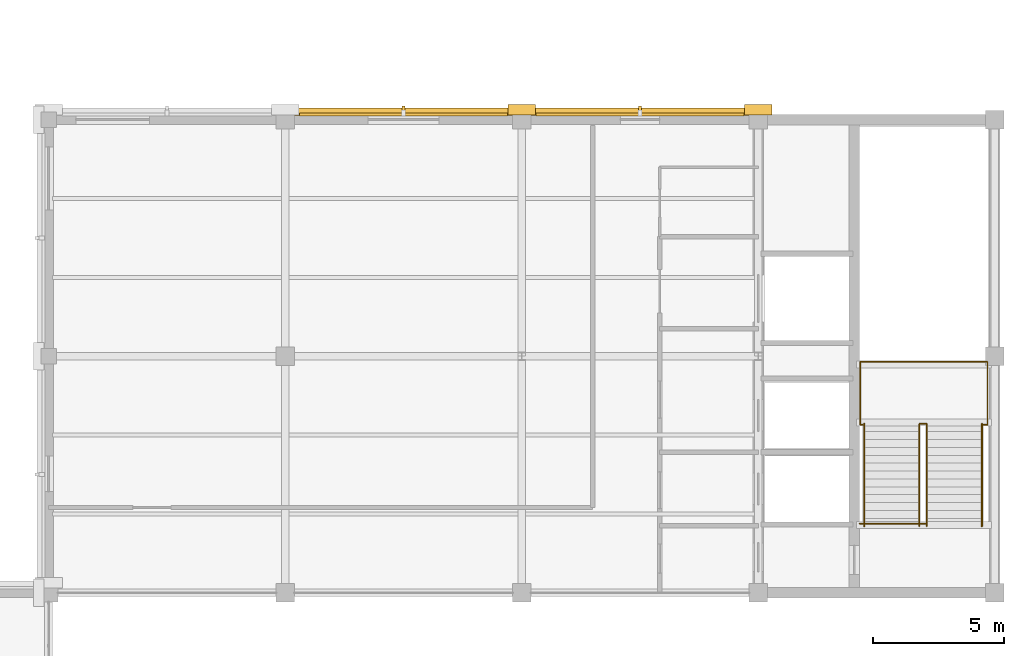
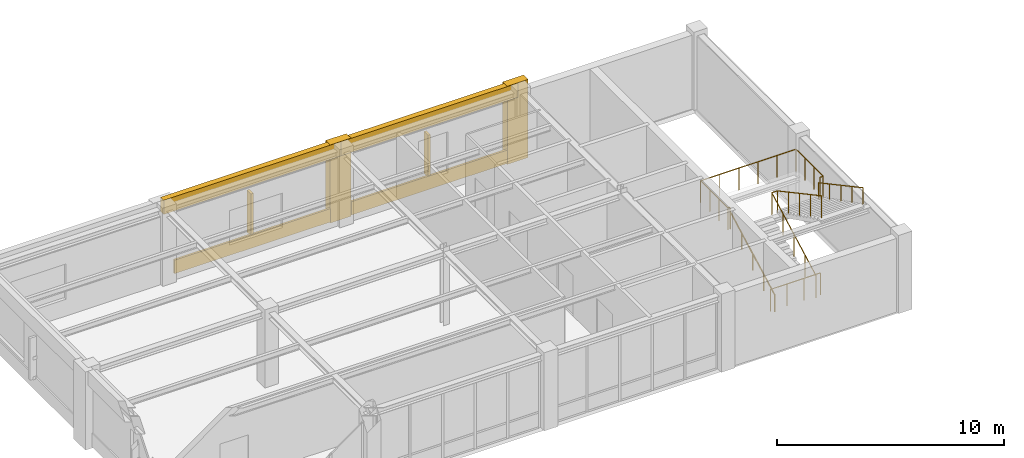
# One storey, part 108 of 108: 6 coverings, 5 railings, 2 shading devices.
"""IFC4 building model written with IfcOpenShell, lengths in metres."""

from ifc_helpers import new_model, si_unit, direction, frame, origin, origin_2d, place, context, subcontext, project, spatial, rectangle, circle, extrude, material, layer, layer_set, type_object, element, save


model = new_model("IFC4")

# Units and contexts
model_context = context("Model", 3, precision=1e-05, world=origin(), true_north=direction((0.0, 1.0)))
body_context = subcontext(model_context, "Body", "Model", "MODEL_VIEW")
ifc_project = project(units=[si_unit("LENGTHUNIT", "METRE"), si_unit("AREAUNIT", "SQUARE_METRE"), si_unit("VOLUMEUNIT", "CUBIC_METRE"), si_unit("PLANEANGLEUNIT", "RADIAN"), si_unit("MASSUNIT", "GRAM", prefix="KILO")], contexts=[model_context])

# Site, building, storey
site_placement = place(None, origin())
site = spatial("IfcSite", under=ifc_project, at=site_placement, CompositionType="ELEMENT")
building_placement = place(site_placement, origin())
building = spatial("IfcBuilding", under=site, at=building_placement, Name="Lykobir Media Centre", CompositionType="ELEMENT")
storey_placement = place(building_placement, frame((0.0, 0.0, 15.0)))
storey = spatial("IfcBuildingStorey", under=building, at=storey_placement, Name="L03", CompositionType="ELEMENT", Elevation=15.0)

# Coverings
ifc_material_1 = material(Name="Glazed Turquoise Terracotta", Category="masonry")
ifc_layer_1 = layer(ifc_material_1, 0.0400390625, Name="Glazed Turquoise Terracotta")
ifc_layer_set_1 = layer_set([ifc_layer_1], Name="Glazed Turquoise Terracotta")
covering_type_1 = type_object("IfcCoveringType", Name="CLD-TERR", PredefinedType="CLADDING", material=ifc_layer_set_1)
for number, where, z_axis, x_axis, name in (
    (1, (112.5, 90.196044921875, 0.080078125), (0.0, 0.0, 1.0), (-1.0, 0.0, 0.0), "Facade spandrel apron 582"),
    (2, (121.5, 90.196044921875, 0.080078125), (0.0, 0.0, 1.0), (-1.0, 0.0, 0.0), "Facade spandrel apron 585"),
):
    element("IfcCovering", number, at=place(storey_placement, frame(where, z_axis=z_axis, x_axis=x_axis)), inside=storey, type_object=covering_type_1, Name=name, PredefinedType="CLADDING", context=body_context, shape_type="SweptSolid", body=[
        extrude(rectangle(XDim=7.929931640625, YDim=0.10009765625, at=origin_2d()), origin(), (0.0, 0.0, 1.0), 0.719970703125),
    ])
ifc_material_2 = material(Name="Honed Travertine Stone", Category="masonry")
ifc_layer_2 = layer(ifc_material_2, 0.050048828125, Name="Honed Travertine Stone")
ifc_layer_set_2 = layer_set([ifc_layer_2], Name="Honed Travertine Stone")
covering_type_2 = type_object("IfcCoveringType", Name="CLD-TRAV", PredefinedType="CLADDING", material=ifc_layer_set_2)
covering_1_placement = place(storey_placement, frame((117.0, 90.3798828125, 0.0), z_axis=(0.0, 0.0, 1.0), x_axis=(-1.0, 0.0, 0.0)))
element("IfcCovering", 3, at=covering_1_placement, inside=storey, type_object=covering_type_2, Name="Travertine column pier 580", PredefinedType="CLADDING", context=body_context, shape_type="SweptSolid", body=[
    extrude(rectangle(XDim=1.06005859375, YDim=0.39990234375, at=origin_2d()), origin(), (0.0, 0.0, 1.0), 4.199951171875),
])
covering_2_placement = place(storey_placement, frame((112.5, 90.300048828125, 3.43994140625), z_axis=(0.0, 0.0, 1.0), x_axis=(-1.0, 0.0, 0.0)))
element("IfcCovering", 4, at=covering_2_placement, inside=storey, type_object=covering_type_2, Name="Travertine spandrel stringcourse 581", PredefinedType="CLADDING", context=body_context, shape_type="SweptSolid", body=[
    extrude(rectangle(XDim=9.0, YDim=0.280029296875, at=origin_2d()), origin(), (0.0, 0.0, 1.0), 0.760009765625),
])
covering_3_placement = place(storey_placement, frame((126.0, 90.3798828125, 0.0), z_axis=(0.0, 0.0, 1.0), x_axis=(-1.0, 0.0, 0.0)))
element("IfcCovering", 5, at=covering_3_placement, inside=storey, type_object=covering_type_2, Name="Travertine column pier 583", PredefinedType="CLADDING", context=body_context, shape_type="SweptSolid", body=[
    extrude(rectangle(XDim=1.06005859375, YDim=0.39990234375, at=origin_2d()), origin(), (0.0, 0.0, 1.0), 4.199951171875),
])
covering_4_placement = place(storey_placement, frame((121.5, 90.300048828125, 3.43994140625), z_axis=(0.0, 0.0, 1.0), x_axis=(-1.0, 0.0, 0.0)))
element("IfcCovering", 6, at=covering_4_placement, inside=storey, type_object=covering_type_2, Name="Travertine spandrel stringcourse 584", PredefinedType="CLADDING", context=body_context, shape_type="SweptSolid", body=[
    extrude(rectangle(XDim=9.0, YDim=0.280029296875, at=origin_2d()), origin(), (0.0, 0.0, 1.0), 0.760009765625),
])

# Railings
ifc_material_3 = material(Name="Steel S355", Category="steel")
railing_type_1 = type_object("IfcRailingType", Name="GR-1200", PredefinedType="BALUSTRADE", material=ifc_material_3)
railing_1_placement = place(storey_placement, frame((129.8701171875, 74.6298828125, 0.0)))
element("IfcRailing", 7, at=railing_1_placement, inside=storey, type_object=railing_type_1, Name="ST-4 L03 arrival well guard", PredefinedType="BALUSTRADE", context=body_context, shape_type="SweptSolid", body=[
    extrude(circle(Radius=0.02392578125, at=origin_2d()), frame((0.0, 0.0, 1.17578125), z_axis=(1.0, 0.0, 0.0), x_axis=(0.0, 1.0, 0.0)), (0.0, 0.0, 1.0), 2.539794921875),
    extrude(circle(Radius=0.02099609375, at=origin_2d()), origin(), (0.0, 0.0, 1.0), 1.15185546875),
    extrude(circle(Radius=0.02099609375, at=origin_2d()), frame((0.8466796875, 0.0, 0.0)), (0.0, 0.0, 1.0), 1.15185546875),
    extrude(circle(Radius=0.02099609375, at=origin_2d()), frame((1.693115234375, 0.0, 0.0)), (0.0, 0.0, 1.0), 1.15185546875),
    extrude(circle(Radius=0.02099609375, at=origin_2d()), frame((2.539794921875, 0.0, 0.0)), (0.0, 0.0, 1.0), 1.15185546875),
])
railing_2_placement = place(storey_placement, frame((132.1298828125, 74.530029296875, 0.0)))
element("IfcRailing", 8, at=railing_2_placement, inside=storey, type_object=railing_type_1, Name="ST-4 L03 inner well and slot guard", PredefinedType="BALUSTRADE", context=body_context, shape_type="SweptSolid", body=[
    extrude(circle(Radius=0.02392578125, at=origin_2d()), frame((0.0, 0.0, 1.17578125), z_axis=(0.0, 0.880456940745, 0.474126117709), x_axis=(-1.0, 0.0, 0.0)), (0.0, 0.0, 1.0), 4.429443359375),
    extrude(circle(Radius=0.02392578125, at=origin_2d()), frame((0.0, 3.89990234375, 3.27587890625), z_axis=(1.0, 0.0, 0.0), x_axis=(0.0, 1.0, 0.0)), (0.0, 0.0, 1.0), 0.280029296875),
    extrude(circle(Radius=0.02392578125, at=origin_2d()), frame((0.280029296875, 3.89990234375, 3.27587890625), z_axis=(0.0, -0.88047994924, 0.474083388219), x_axis=(1.0, 0.0, 0.0)), (0.0, 0.0, 1.0), 4.42919921875),
    extrude(circle(Radius=0.02099609375, at=origin_2d()), origin(), (0.0, 0.0, 1.0), 1.15185546875),
    extrude(circle(Radius=0.02099609375, at=origin_2d()), frame((0.0, 0.97509765625, 0.52490234375)), (0.0, 0.0, 1.0), 1.15185546875),
    extrude(circle(Radius=0.02099609375, at=origin_2d()), frame((0.0, 1.949951171875, 1.050048828125)), (0.0, 0.0, 1.0), 1.15185546875),
    extrude(circle(Radius=0.02099609375, at=origin_2d()), frame((0.0, 2.9248046875, 1.5751953125)), (0.0, 0.0, 1.0), 1.15185546875),
    extrude(circle(Radius=0.02099609375, at=origin_2d()), frame((0.0, 3.89990234375, 2.10009765625)), (0.0, 0.0, 1.0), 1.15185546875),
    extrude(circle(Radius=0.02099609375, at=origin_2d()), frame((0.280029296875, 3.89990234375, 2.10009765625)), (0.0, 0.0, 1.0), 1.15185546875),
    extrude(circle(Radius=0.02099609375, at=origin_2d()), frame((0.280029296875, 2.9248046875, 2.625)), (0.0, 0.0, 1.0), 1.15185546875),
    extrude(circle(Radius=0.02099609375, at=origin_2d()), frame((0.280029296875, 1.949951171875, 3.14990234375)), (0.0, 0.0, 1.0), 1.15185546875),
    extrude(circle(Radius=0.02099609375, at=origin_2d()), frame((0.280029296875, 0.97509765625, 3.675048828125)), (0.0, 0.0, 1.0), 1.15185546875),
    extrude(circle(Radius=0.02099609375, at=origin_2d()), frame((0.280029296875, 0.0, 4.199951171875)), (0.0, 0.0, 1.0), 1.15185546875),
])
railing_3_placement = place(storey_placement, frame((129.989990234375, 78.389892578125, 2.10009765625)))
element("IfcRailing", 9, at=railing_3_placement, inside=storey, type_object=railing_type_1, Name="ST-4 L03 half-landing perimeter guard", PredefinedType="BALUSTRADE", context=body_context, shape_type="SweptSolid", body=[
    extrude(circle(Radius=0.02392578125, at=origin_2d()), frame((0.0, 0.0, 1.17578125), z_axis=(-1.0, 0.0, 0.0), x_axis=(0.0, -1.0, 0.0)), (0.0, 0.0, 1.0), 0.110107421875),
    extrude(circle(Radius=0.02392578125, at=origin_2d()), frame((-0.110107421875, 0.0, 1.17578125), z_axis=(0.0, 1.0, 0.0), x_axis=(-1.0, 0.0, 0.0)), (0.0, 0.0, 1.0), 2.400146484375),
    extrude(circle(Radius=0.02392578125, at=origin_2d()), frame((-0.110107421875, 2.400146484375, 1.17578125), z_axis=(1.0, 0.0, 0.0), x_axis=(0.0, 1.0, 0.0)), (0.0, 0.0, 1.0), 4.840087890625),
    extrude(circle(Radius=0.02392578125, at=origin_2d()), frame((4.72998046875, 2.400146484375, 1.17578125), z_axis=(0.0, -1.0, 0.0), x_axis=(1.0, 0.0, 0.0)), (0.0, 0.0, 1.0), 2.400146484375),
    extrude(circle(Radius=0.02392578125, at=origin_2d()), frame((4.72998046875, 0.0, 1.17578125), z_axis=(-1.0, 0.0, 0.0), x_axis=(0.0, -1.0, 0.0)), (0.0, 0.0, 1.0), 0.169921875),
    extrude(circle(Radius=0.02099609375, at=origin_2d()), origin(), (0.0, 0.0, 1.0), 1.15185546875),
    extrude(circle(Radius=0.02099609375, at=origin_2d()), frame((-0.110107421875, 0.0, 0.0)), (0.0, 0.0, 1.0), 1.15185546875),
    extrude(circle(Radius=0.02099609375, at=origin_2d()), frame((-0.110107421875, 0.800048828125, 0.0)), (0.0, 0.0, 1.0), 1.15185546875),
    extrude(circle(Radius=0.02099609375, at=origin_2d()), frame((-0.110107421875, 1.60009765625, 0.0)), (0.0, 0.0, 1.0), 1.15185546875),
    extrude(circle(Radius=0.02099609375, at=origin_2d()), frame((-0.110107421875, 2.400146484375, 0.0)), (0.0, 0.0, 1.0), 1.15185546875),
    extrude(circle(Radius=0.02099609375, at=origin_2d()), frame((0.85791015625, 2.400146484375, 0.0)), (0.0, 0.0, 1.0), 1.15185546875),
    extrude(circle(Radius=0.02099609375, at=origin_2d()), frame((1.825927734375, 2.400146484375, 0.0)), (0.0, 0.0, 1.0), 1.15185546875),
    extrude(circle(Radius=0.02099609375, at=origin_2d()), frame((2.7939453125, 2.400146484375, 0.0)), (0.0, 0.0, 1.0), 1.15185546875),
    extrude(circle(Radius=0.02099609375, at=origin_2d()), frame((3.761962890625, 2.400146484375, 0.0)), (0.0, 0.0, 1.0), 1.15185546875),
    extrude(circle(Radius=0.02099609375, at=origin_2d()), frame((4.72998046875, 2.400146484375, 0.0)), (0.0, 0.0, 1.0), 1.15185546875),
    extrude(circle(Radius=0.02099609375, at=origin_2d()), frame((4.72998046875, 1.60009765625, 0.0)), (0.0, 0.0, 1.0), 1.15185546875),
    extrude(circle(Radius=0.02099609375, at=origin_2d()), frame((4.72998046875, 0.800048828125, 0.0)), (0.0, 0.0, 1.0), 1.15185546875),
    extrude(circle(Radius=0.02099609375, at=origin_2d()), frame((4.72998046875, 0.0, 0.0)), (0.0, 0.0, 1.0), 1.15185546875),
    extrude(circle(Radius=0.02099609375, at=origin_2d()), frame((4.56005859375, 0.0, 0.0)), (0.0, 0.0, 1.0), 1.15185546875),
])
railing_type_2 = type_object("IfcRailingType", Name="HR-0900", PredefinedType="HANDRAIL", material=ifc_material_3)
railing_4_placement = place(storey_placement, frame((130.030029296875, 74.530029296875, 0.0)))
element("IfcRailing", 10, at=railing_4_placement, inside=storey, type_object=railing_type_2, Name="ST-4 L03 F1 wall handrail", PredefinedType="HANDRAIL", context=body_context, shape_type="SweptSolid", body=[
    extrude(circle(Radius=0.02392578125, at=origin_2d()), frame((0.0, 0.0, 0.8759765625), z_axis=(0.0, 0.880456940745, 0.474126117709), x_axis=(-1.0, 0.0, 0.0)), (0.0, 0.0, 1.0), 4.429443359375),
    extrude(circle(Radius=0.02099609375, at=origin_2d()), origin(), (0.0, 0.0, 1.0), 0.851806640625),
    extrude(circle(Radius=0.02099609375, at=origin_2d()), frame((0.0, 0.97509765625, 0.52490234375)), (0.0, 0.0, 1.0), 0.851806640625),
    extrude(circle(Radius=0.02099609375, at=origin_2d()), frame((0.0, 1.949951171875, 1.050048828125)), (0.0, 0.0, 1.0), 0.851806640625),
    extrude(circle(Radius=0.02099609375, at=origin_2d()), frame((0.0, 2.9248046875, 1.5751953125)), (0.0, 0.0, 1.0), 0.851806640625),
    extrude(circle(Radius=0.02099609375, at=origin_2d()), frame((0.0, 3.89990234375, 2.10009765625)), (0.0, 0.0, 1.0), 0.851806640625),
])
railing_5_placement = place(storey_placement, frame((134.510009765625, 78.429931640625, 2.10009765625)))
element("IfcRailing", 11, at=railing_5_placement, inside=storey, type_object=railing_type_2, Name="ST-4 L03 F2 wall handrail", PredefinedType="HANDRAIL", context=body_context, shape_type="SweptSolid", body=[
    extrude(circle(Radius=0.02392578125, at=origin_2d()), frame((0.0, 0.0, 0.8759765625), z_axis=(0.0, -0.88047994924, 0.474083388219), x_axis=(1.0, 0.0, 0.0)), (0.0, 0.0, 1.0), 4.42919921875),
    extrude(circle(Radius=0.02099609375, at=origin_2d()), origin(), (0.0, 0.0, 1.0), 0.851806640625),
    extrude(circle(Radius=0.02099609375, at=origin_2d()), frame((0.0, -0.97509765625, 0.52490234375)), (0.0, 0.0, 1.0), 0.851806640625),
    extrude(circle(Radius=0.02099609375, at=origin_2d()), frame((0.0, -1.949951171875, 1.0498046875)), (0.0, 0.0, 1.0), 0.851806640625),
    extrude(circle(Radius=0.02099609375, at=origin_2d()), frame((0.0, -2.9248046875, 1.574951171875)), (0.0, 0.0, 1.0), 0.851806640625),
    extrude(circle(Radius=0.02099609375, at=origin_2d()), frame((0.0, -3.89990234375, 2.099853515625)), (0.0, 0.0, 1.0), 0.851806640625),
])

# Shading devices
shading_device_type = type_object("IfcShadingDeviceType", Name="SHD-FIN", PredefinedType="USERDEFINED", material=ifc_material_1)
for number, where, z_axis, x_axis, name in (
    (12, (112.5, 90.35009765625, 0.72509765625), (0.0, 0.0, 1.0), (-1.0, 0.0, 0.0), "Terracotta shading fin 47"),
    (13, (121.5, 90.35009765625, 0.72509765625), (0.0, 0.0, 1.0), (-1.0, 0.0, 0.0), "Terracotta shading fin 48"),
):
    element("IfcShadingDevice", number, at=place(storey_placement, frame(where, z_axis=z_axis, x_axis=x_axis)), inside=storey, type_object=shading_device_type, Name=name, ObjectType="FIN", PredefinedType="USERDEFINED", context=body_context, shape_type="SweptSolid", body=[
        extrude(rectangle(XDim=0.1201171875, YDim=0.35009765625, at=origin_2d()), origin(), (0.0, 0.0, 1.0), 2.25),
    ])

save(model, "model.ifc")
